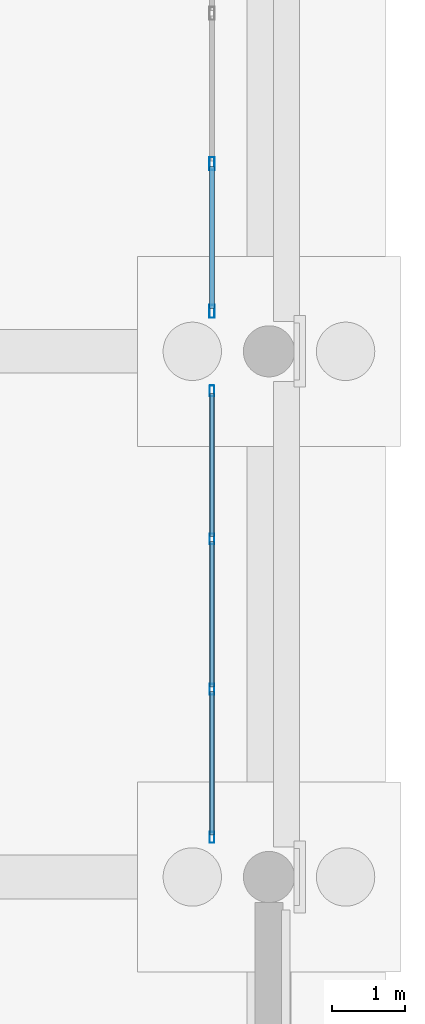
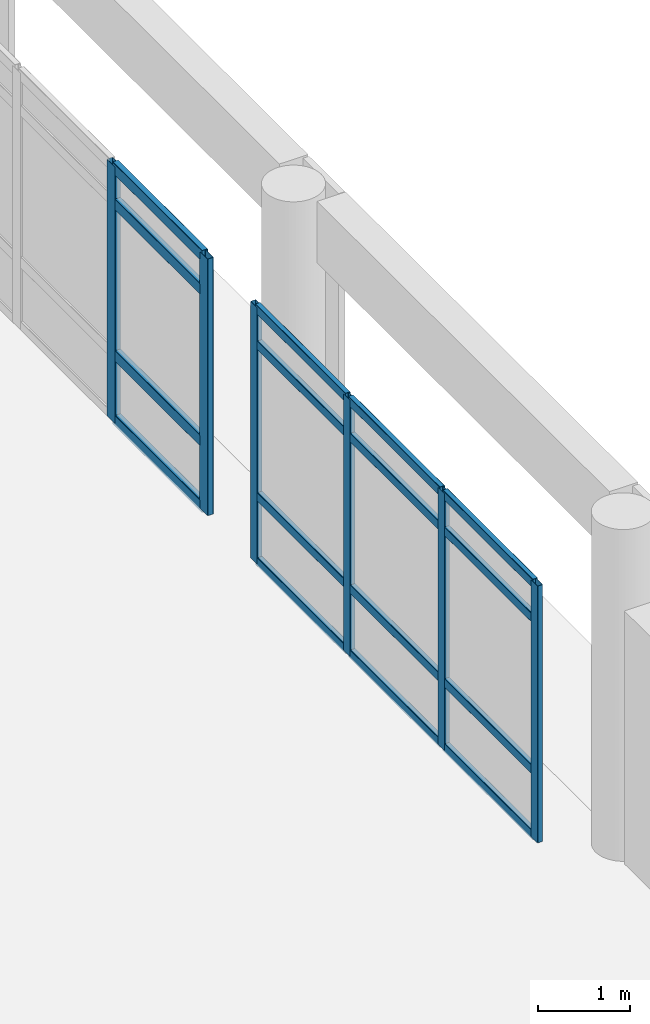
# One storey, part 136 of 196: 22 members, 2 elements without a shape of their own.
"""IFC4 building model written with IfcOpenShell, lengths in metres."""

from ifc_helpers import new_model, si_unit, direction, frame, origin, origin_2d, place, context, subcontext, project, spatial, hollow_rectangle, extrude, material, layer, layer_set, material_profile, profile_set, type_object, element, aggregate, save


model = new_model("IFC4")

# Units and contexts
model_context = context("Model", 3, precision=1e-05, world=origin(), true_north=direction((0.0, 1.0)))
body_context = subcontext(model_context, "Body", "Model", "MODEL_VIEW")
ifc_project = project(units=[si_unit("LENGTHUNIT", "METRE"), si_unit("AREAUNIT", "SQUARE_METRE"), si_unit("VOLUMEUNIT", "CUBIC_METRE"), si_unit("PLANEANGLEUNIT", "RADIAN"), si_unit("MASSUNIT", "GRAM", prefix="KILO")], contexts=[model_context])

# Site, building, storey
site_placement = place(None, origin())
site = spatial("IfcSite", under=ifc_project, at=site_placement, CompositionType="ELEMENT")
building_placement = place(site_placement, origin())
building = spatial("IfcBuilding", under=site, at=building_placement, Name="Asteropetra Specialist Clinic", CompositionType="ELEMENT")
storey_placement = place(building_placement, origin())
storey = spatial("IfcBuildingStorey", under=building, at=storey_placement, Name="L00", CompositionType="ELEMENT", Elevation=0.0)

# Curtain wall, members
ifc_material_1 = material(Name="Aluminium and low-E glass", Category="aluminium")
ifc_layer_1 = layer(ifc_material_1, 0.179931640625)
ifc_layer_set_1 = layer_set([ifc_layer_1], Name="Aluminium and low-E glass")
curtain_wall_type_1 = type_object("IfcCurtainWallType", Name="CW-SYS-10", PredefinedType="USERDEFINED", material=ifc_layer_set_1)
curtain_wall_1_placement = place(storey_placement, origin())
curtain_wall_1 = element("IfcCurtainWall", 1, at=curtain_wall_1_placement, inside=storey, type_object=curtain_wall_type_1, Name="Curtain Wall CW-214", ObjectType="STICK GLAZED COLONNADE", PredefinedType="USERDEFINED")
ifc_material_2 = material(Name="Aluminium 6063-T6", Category="aluminium")
ifc_material_profile_1 = material_profile(ifc_material_2, hollow_rectangle(XDim=0.06494140625, YDim=0.14990234375, WallThickness=0.00390625, InnerFilletRadius=0.00390625, OuterFilletRadius=0.008056640625, at=origin_2d()), Name="MUL 150x65x4.0")
ifc_profile_set_1 = profile_set([ifc_material_profile_1], Name="Aluminium 6063-T6")
member_type_1 = type_object("IfcMemberType", Name="CWM-150x65", PredefinedType="MULLION", material=ifc_profile_set_1)
member_1_placement = place(storey_placement, frame((152.820068359375, 84.54248046875, 0.0), z_axis=(0.0, 0.0, 1.0), x_axis=(-1.0, 0.0, 0.0)))
member_1 = element("IfcMember", 2, at=member_1_placement, type_object=member_type_1, Name="CW-214 mullion 1", PredefinedType="MULLION", context=body_context, shape_type="SweptSolid", body=[
    extrude(hollow_rectangle(XDim=0.06494140625, YDim=0.14990234375, WallThickness=0.00390625, InnerFilletRadius=0.00390625, OuterFilletRadius=0.008056640625, at=origin_2d()), origin(), (0.0, 0.0, 1.0), 3.419921875),
])
member_2_placement = place(storey_placement, frame((152.820068359375, 86.570068359375, 0.0), z_axis=(0.0, 0.0, 1.0), x_axis=(-1.0, 0.0, 0.0)))
member_2 = element("IfcMember", 3, at=member_2_placement, type_object=member_type_1, Name="CW-214 mullion 2", PredefinedType="MULLION", context=body_context, shape_type="SweptSolid", body=[
    extrude(hollow_rectangle(XDim=0.06494140625, YDim=0.14990234375, WallThickness=0.00390625, InnerFilletRadius=0.00390625, OuterFilletRadius=0.008056640625, at=origin_2d()), origin(), (0.0, 0.0, 1.0), 3.419921875),
])
member_3_placement = place(storey_placement, frame((152.820068359375, 88.6298828125, 0.0), z_axis=(0.0, 0.0, 1.0), x_axis=(-1.0, 0.0, 0.0)))
member_3 = element("IfcMember", 4, at=member_3_placement, type_object=member_type_1, Name="CW-214 mullion 3", PredefinedType="MULLION", context=body_context, shape_type="SweptSolid", body=[
    extrude(hollow_rectangle(XDim=0.06494140625, YDim=0.14990234375, WallThickness=0.00390625, InnerFilletRadius=0.00390625, OuterFilletRadius=0.008056640625, at=origin_2d()), origin(), (0.0, 0.0, 1.0), 3.419921875),
])
member_4_placement = place(storey_placement, frame((152.820068359375, 90.657470703125, 0.0), z_axis=(0.0, 0.0, 1.0), x_axis=(-1.0, 0.0, 0.0)))
member_4 = element("IfcMember", 5, at=member_4_placement, type_object=member_type_1, Name="CW-214 mullion 4", PredefinedType="MULLION", context=body_context, shape_type="SweptSolid", body=[
    extrude(hollow_rectangle(XDim=0.06494140625, YDim=0.14990234375, WallThickness=0.00390625, InnerFilletRadius=0.00390625, OuterFilletRadius=0.008056640625, at=origin_2d()), origin(), (0.0, 0.0, 1.0), 3.419921875),
])

ifc_material_3 = material(Name="Aluminium and low-E glass", Category="aluminium")
ifc_layer_2 = layer(ifc_material_3, 0.179931640625)
ifc_layer_set_2 = layer_set([ifc_layer_2], Name="Aluminium and low-E glass")
curtain_wall_type_2 = type_object("IfcCurtainWallType", Name="CW-SYS-01", PredefinedType="USERDEFINED", material=ifc_layer_set_2)
curtain_wall_2_placement = place(storey_placement, origin())
curtain_wall_2 = element("IfcCurtainWall", 6, at=curtain_wall_2_placement, inside=storey, type_object=curtain_wall_type_2, Name="Curtain Wall CW-216", ObjectType="UNITISED CURTAIN WALL", PredefinedType="USERDEFINED")
ifc_material_4 = material(Name="Aluminium 6063-T6", Category="aluminium")
ifc_material_profile_2 = material_profile(ifc_material_4, hollow_rectangle(XDim=0.074951171875, YDim=0.179931640625, WallThickness=0.00390625, InnerFilletRadius=0.00390625, OuterFilletRadius=0.008056640625, at=origin_2d()), Name="MUL 180x75x4.0")
ifc_profile_set_2 = profile_set([ifc_material_profile_2], Name="Aluminium 6063-T6")
member_type_2 = type_object("IfcMemberType", Name="CWM-180x75", PredefinedType="MULLION", material=ifc_profile_set_2)
member_5_placement = place(storey_placement, frame((152.820068359375, 91.74755859375, 0.0), z_axis=(0.0, 0.0, 1.0), x_axis=(-1.0, 0.0, 0.0)))
member_5 = element("IfcMember", 7, at=member_5_placement, type_object=member_type_2, Name="CW-216 mullion 1", PredefinedType="MULLION", context=body_context, shape_type="SweptSolid", body=[
    extrude(hollow_rectangle(XDim=0.074951171875, YDim=0.179931640625, WallThickness=0.00390625, InnerFilletRadius=0.00390625, OuterFilletRadius=0.008056640625, at=origin_2d()), origin(), (0.0, 0.0, 1.0), 3.419921875),
])
member_6_placement = place(storey_placement, frame((152.820068359375, 93.77001953125, 0.0), z_axis=(0.0, 0.0, 1.0), x_axis=(-1.0, 0.0, 0.0)))
member_6 = element("IfcMember", 8, at=member_6_placement, type_object=member_type_2, Name="CW-216 mullion 2", PredefinedType="MULLION", context=body_context, shape_type="SweptSolid", body=[
    extrude(hollow_rectangle(XDim=0.074951171875, YDim=0.179931640625, WallThickness=0.00390625, InnerFilletRadius=0.00390625, OuterFilletRadius=0.008056640625, at=origin_2d()), origin(), (0.0, 0.0, 1.0), 3.419921875),
])

# Member
ifc_material_5 = material(Name="Aluminium 6063-T6", Category="aluminium")
ifc_material_profile_3 = material_profile(ifc_material_5, hollow_rectangle(XDim=0.06494140625, YDim=0.1201171875, WallThickness=0.00390625, InnerFilletRadius=0.00390625, OuterFilletRadius=0.008056640625, at=origin_2d()), Name="TRN 120x65x4.0")
ifc_profile_set_3 = profile_set([ifc_material_profile_3], Name="Aluminium 6063-T6")
member_type_3 = type_object("IfcMemberType", Name="CWT-120x65", PredefinedType="USERDEFINED", material=ifc_profile_set_3)
member_7_placement = place(storey_placement, frame((152.820068359375, 84.574951171875, 0.032470703125), z_axis=(0.0, 1.0, 0.0), x_axis=(-1.0, 0.0, 0.0)))
member_7 = element("IfcMember", 9, at=member_7_placement, type_object=member_type_3, Name="CW-214 transom 1.1", ObjectType="TRANSOM", PredefinedType="USERDEFINED", context=body_context, shape_type="SweptSolid", body=[
    extrude(hollow_rectangle(XDim=0.06494140625, YDim=0.1201171875, WallThickness=0.00390625, InnerFilletRadius=0.00390625, OuterFilletRadius=0.008056640625, at=origin_2d()), origin(), (0.0, 0.0, 1.0), 1.962646484375),
])

member_8_placement = place(storey_placement, frame((152.820068359375, 84.574951171875, 0.89990234375), z_axis=(0.0, 1.0, 0.0), x_axis=(-1.0, 0.0, 0.0)))
member_8 = element("IfcMember", 10, at=member_8_placement, type_object=member_type_3, Name="CW-214 transom 1.2", ObjectType="TRANSOM", PredefinedType="USERDEFINED", context=body_context, shape_type="SweptSolid", body=[
    extrude(hollow_rectangle(XDim=0.06494140625, YDim=0.1201171875, WallThickness=0.00390625, InnerFilletRadius=0.00390625, OuterFilletRadius=0.008056640625, at=origin_2d()), origin(), (0.0, 0.0, 1.0), 1.962646484375),
])

member_9_placement = place(storey_placement, frame((152.820068359375, 84.574951171875, 2.919921875), z_axis=(0.0, 1.0, 0.0), x_axis=(-1.0, 0.0, 0.0)))
member_9 = element("IfcMember", 11, at=member_9_placement, type_object=member_type_3, Name="CW-214 transom 1.3", ObjectType="TRANSOM", PredefinedType="USERDEFINED", context=body_context, shape_type="SweptSolid", body=[
    extrude(hollow_rectangle(XDim=0.06494140625, YDim=0.1201171875, WallThickness=0.00390625, InnerFilletRadius=0.00390625, OuterFilletRadius=0.008056640625, at=origin_2d()), origin(), (0.0, 0.0, 1.0), 1.962646484375),
])

member_10_placement = place(storey_placement, frame((152.820068359375, 84.574951171875, 3.387451171875), z_axis=(0.0, 1.0, 0.0), x_axis=(-1.0, 0.0, 0.0)))
member_10 = element("IfcMember", 12, at=member_10_placement, type_object=member_type_3, Name="CW-214 transom 1.4", ObjectType="TRANSOM", PredefinedType="USERDEFINED", context=body_context, shape_type="SweptSolid", body=[
    extrude(hollow_rectangle(XDim=0.06494140625, YDim=0.1201171875, WallThickness=0.00390625, InnerFilletRadius=0.00390625, OuterFilletRadius=0.008056640625, at=origin_2d()), origin(), (0.0, 0.0, 1.0), 1.962646484375),
])

member_11_placement = place(storey_placement, frame((152.820068359375, 86.6025390625, 0.032470703125), z_axis=(0.0, 1.0, 0.0), x_axis=(-1.0, 0.0, 0.0)))
member_11 = element("IfcMember", 13, at=member_11_placement, type_object=member_type_3, Name="CW-214 transom 2.1", ObjectType="TRANSOM", PredefinedType="USERDEFINED", context=body_context, shape_type="SweptSolid", body=[
    extrude(hollow_rectangle(XDim=0.06494140625, YDim=0.1201171875, WallThickness=0.00390625, InnerFilletRadius=0.00390625, OuterFilletRadius=0.008056640625, at=origin_2d()), origin(), (0.0, 0.0, 1.0), 1.994873046875),
])

member_12_placement = place(storey_placement, frame((152.820068359375, 86.6025390625, 0.89990234375), z_axis=(0.0, 1.0, 0.0), x_axis=(-1.0, 0.0, 0.0)))
member_12 = element("IfcMember", 14, at=member_12_placement, type_object=member_type_3, Name="CW-214 transom 2.2", ObjectType="TRANSOM", PredefinedType="USERDEFINED", context=body_context, shape_type="SweptSolid", body=[
    extrude(hollow_rectangle(XDim=0.06494140625, YDim=0.1201171875, WallThickness=0.00390625, InnerFilletRadius=0.00390625, OuterFilletRadius=0.008056640625, at=origin_2d()), origin(), (0.0, 0.0, 1.0), 1.994873046875),
])

member_13_placement = place(storey_placement, frame((152.820068359375, 86.6025390625, 2.919921875), z_axis=(0.0, 1.0, 0.0), x_axis=(-1.0, 0.0, 0.0)))
member_13 = element("IfcMember", 15, at=member_13_placement, type_object=member_type_3, Name="CW-214 transom 2.3", ObjectType="TRANSOM", PredefinedType="USERDEFINED", context=body_context, shape_type="SweptSolid", body=[
    extrude(hollow_rectangle(XDim=0.06494140625, YDim=0.1201171875, WallThickness=0.00390625, InnerFilletRadius=0.00390625, OuterFilletRadius=0.008056640625, at=origin_2d()), origin(), (0.0, 0.0, 1.0), 1.994873046875),
])

member_14_placement = place(storey_placement, frame((152.820068359375, 86.6025390625, 3.387451171875), z_axis=(0.0, 1.0, 0.0), x_axis=(-1.0, 0.0, 0.0)))
member_14 = element("IfcMember", 16, at=member_14_placement, type_object=member_type_3, Name="CW-214 transom 2.4", ObjectType="TRANSOM", PredefinedType="USERDEFINED", context=body_context, shape_type="SweptSolid", body=[
    extrude(hollow_rectangle(XDim=0.06494140625, YDim=0.1201171875, WallThickness=0.00390625, InnerFilletRadius=0.00390625, OuterFilletRadius=0.008056640625, at=origin_2d()), origin(), (0.0, 0.0, 1.0), 1.994873046875),
])

member_15_placement = place(storey_placement, frame((152.820068359375, 88.66259765625, 0.032470703125), z_axis=(0.0, 1.0, 0.0), x_axis=(-1.0, 0.0, 0.0)))
member_15 = element("IfcMember", 17, at=member_15_placement, type_object=member_type_3, Name="CW-214 transom 3.1", ObjectType="TRANSOM", PredefinedType="USERDEFINED", context=body_context, shape_type="SweptSolid", body=[
    extrude(hollow_rectangle(XDim=0.06494140625, YDim=0.1201171875, WallThickness=0.00390625, InnerFilletRadius=0.00390625, OuterFilletRadius=0.008056640625, at=origin_2d()), origin(), (0.0, 0.0, 1.0), 1.96240234375),
])

member_16_placement = place(storey_placement, frame((152.820068359375, 88.66259765625, 0.89990234375), z_axis=(0.0, 1.0, 0.0), x_axis=(-1.0, 0.0, 0.0)))
member_16 = element("IfcMember", 18, at=member_16_placement, type_object=member_type_3, Name="CW-214 transom 3.2", ObjectType="TRANSOM", PredefinedType="USERDEFINED", context=body_context, shape_type="SweptSolid", body=[
    extrude(hollow_rectangle(XDim=0.06494140625, YDim=0.1201171875, WallThickness=0.00390625, InnerFilletRadius=0.00390625, OuterFilletRadius=0.008056640625, at=origin_2d()), origin(), (0.0, 0.0, 1.0), 1.96240234375),
])

member_17_placement = place(storey_placement, frame((152.820068359375, 88.66259765625, 2.919921875), z_axis=(0.0, 1.0, 0.0), x_axis=(-1.0, 0.0, 0.0)))
member_17 = element("IfcMember", 19, at=member_17_placement, type_object=member_type_3, Name="CW-214 transom 3.3", ObjectType="TRANSOM", PredefinedType="USERDEFINED", context=body_context, shape_type="SweptSolid", body=[
    extrude(hollow_rectangle(XDim=0.06494140625, YDim=0.1201171875, WallThickness=0.00390625, InnerFilletRadius=0.00390625, OuterFilletRadius=0.008056640625, at=origin_2d()), origin(), (0.0, 0.0, 1.0), 1.96240234375),
])

member_18_placement = place(storey_placement, frame((152.820068359375, 88.66259765625, 3.387451171875), z_axis=(0.0, 1.0, 0.0), x_axis=(-1.0, 0.0, 0.0)))
member_18 = element("IfcMember", 20, at=member_18_placement, type_object=member_type_3, Name="CW-214 transom 3.4", ObjectType="TRANSOM", PredefinedType="USERDEFINED", context=body_context, shape_type="SweptSolid", body=[
    extrude(hollow_rectangle(XDim=0.06494140625, YDim=0.1201171875, WallThickness=0.00390625, InnerFilletRadius=0.00390625, OuterFilletRadius=0.008056640625, at=origin_2d()), origin(), (0.0, 0.0, 1.0), 1.96240234375),
])

aggregate(curtain_wall_1, [member_1, member_2, member_3, member_4, member_7, member_8, member_9, member_10, member_11, member_12, member_13, member_14, member_15, member_16, member_17, member_18])

ifc_material_6 = material(Name="Aluminium 6063-T6", Category="aluminium")
ifc_material_profile_4 = material_profile(ifc_material_6, hollow_rectangle(XDim=0.074951171875, YDim=0.14990234375, WallThickness=0.00390625, InnerFilletRadius=0.00390625, OuterFilletRadius=0.008056640625, at=origin_2d()), Name="TRN 150x75x4.0")
ifc_profile_set_4 = profile_set([ifc_material_profile_4], Name="Aluminium 6063-T6")
member_type_4 = type_object("IfcMemberType", Name="CWT-150x75", PredefinedType="USERDEFINED", material=ifc_profile_set_4)
member_19_placement = place(storey_placement, frame((152.820068359375, 91.784912109375, 0.03759765625), z_axis=(0.0, 1.0, 0.0), x_axis=(-1.0, 0.0, 0.0)))
member_19 = element("IfcMember", 21, at=member_19_placement, type_object=member_type_4, Name="CW-216 transom 1.1", ObjectType="TRANSOM", PredefinedType="USERDEFINED", context=body_context, shape_type="SweptSolid", body=[
    extrude(hollow_rectangle(XDim=0.074951171875, YDim=0.14990234375, WallThickness=0.00390625, InnerFilletRadius=0.00390625, OuterFilletRadius=0.008056640625, at=origin_2d()), origin(), (0.0, 0.0, 1.0), 1.947509765625),
])

member_20_placement = place(storey_placement, frame((152.820068359375, 91.784912109375, 0.89990234375), z_axis=(0.0, 1.0, 0.0), x_axis=(-1.0, 0.0, 0.0)))
member_20 = element("IfcMember", 22, at=member_20_placement, type_object=member_type_4, Name="CW-216 transom 1.2", ObjectType="TRANSOM", PredefinedType="USERDEFINED", context=body_context, shape_type="SweptSolid", body=[
    extrude(hollow_rectangle(XDim=0.074951171875, YDim=0.14990234375, WallThickness=0.00390625, InnerFilletRadius=0.00390625, OuterFilletRadius=0.008056640625, at=origin_2d()), origin(), (0.0, 0.0, 1.0), 1.947509765625),
])

member_21_placement = place(storey_placement, frame((152.820068359375, 91.784912109375, 2.919921875), z_axis=(0.0, 1.0, 0.0), x_axis=(-1.0, 0.0, 0.0)))
member_21 = element("IfcMember", 23, at=member_21_placement, type_object=member_type_4, Name="CW-216 transom 1.3", ObjectType="TRANSOM", PredefinedType="USERDEFINED", context=body_context, shape_type="SweptSolid", body=[
    extrude(hollow_rectangle(XDim=0.074951171875, YDim=0.14990234375, WallThickness=0.00390625, InnerFilletRadius=0.00390625, OuterFilletRadius=0.008056640625, at=origin_2d()), origin(), (0.0, 0.0, 1.0), 1.947509765625),
])

member_22_placement = place(storey_placement, frame((152.820068359375, 91.784912109375, 3.382568359375), z_axis=(0.0, 1.0, 0.0), x_axis=(-1.0, 0.0, 0.0)))
member_22 = element("IfcMember", 24, at=member_22_placement, type_object=member_type_4, Name="CW-216 transom 1.4", ObjectType="TRANSOM", PredefinedType="USERDEFINED", context=body_context, shape_type="SweptSolid", body=[
    extrude(hollow_rectangle(XDim=0.074951171875, YDim=0.14990234375, WallThickness=0.00390625, InnerFilletRadius=0.00390625, OuterFilletRadius=0.008056640625, at=origin_2d()), origin(), (0.0, 0.0, 1.0), 1.947509765625),
])

aggregate(curtain_wall_2, [member_5, member_6, member_19, member_20, member_21, member_22])

save(model, "model.ifc")
